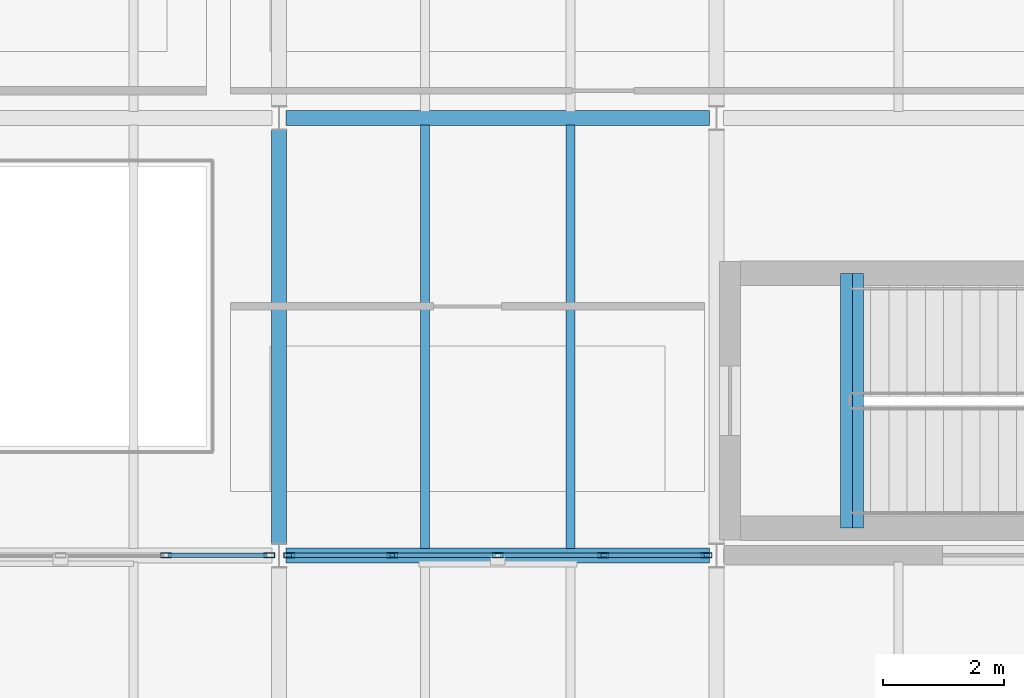
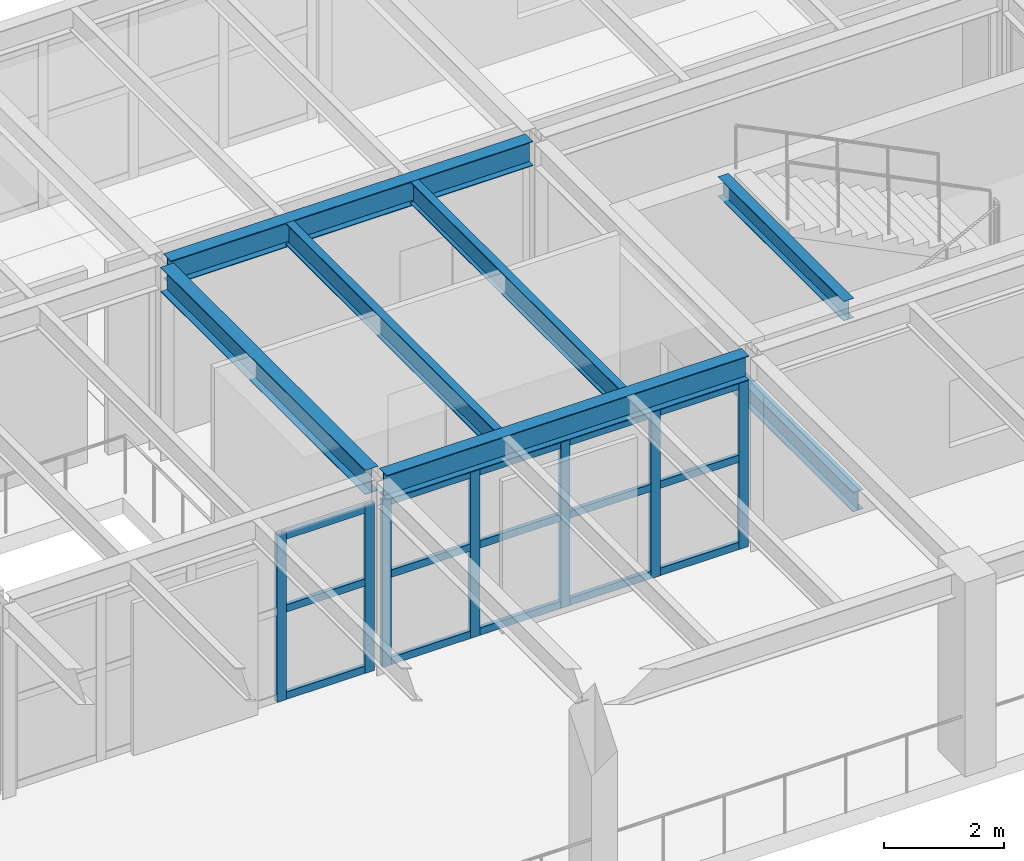
# One storey, part 22 of 59: 22 members, 7 beams, 2 elements without a shape of their own.
"""IFC4 building model written with IfcOpenShell, lengths in metres."""

from ifc_helpers import new_model, si_unit, direction, frame, origin, origin_2d, place, context, subcontext, project, spatial, hollow_rectangle, i_section, extrude, material, layer, layer_set, material_profile, profile_set, type_object, element, aggregate, save


model = new_model("IFC4")

# Units and contexts
model_context = context("Model", 3, precision=1e-05, world=origin(), true_north=direction((0.0, 1.0)))
body_context = subcontext(model_context, "Body", "Model", "MODEL_VIEW")
ifc_project = project(units=[si_unit("LENGTHUNIT", "METRE"), si_unit("AREAUNIT", "SQUARE_METRE"), si_unit("VOLUMEUNIT", "CUBIC_METRE"), si_unit("PLANEANGLEUNIT", "RADIAN"), si_unit("MASSUNIT", "GRAM", prefix="KILO")], contexts=[model_context])

# Site, building, storey
site_placement = place(None, origin())
site = spatial("IfcSite", under=ifc_project, at=site_placement, CompositionType="ELEMENT")
building_placement = place(site_placement, origin())
building = spatial("IfcBuilding", under=site, at=building_placement, Name="Kandorven Conservatory and Botanical Research Centre", CompositionType="ELEMENT")
storey_placement = place(building_placement, frame((0.0, 0.0, 4.800048828125)))
storey = spatial("IfcBuildingStorey", under=building, at=storey_placement, Name="L01", CompositionType="ELEMENT", Elevation=4.800048828125)

# Beams
ifc_material_1 = material(Name="Steel S355 (IS 2062 E350)", Category="steel")
ifc_material_profile_1 = material_profile(ifc_material_1, i_section(OverallWidth=0.25, OverallDepth=0.5, WebThickness=0.010009765625, FlangeThickness=0.0146484375, at=origin_2d()))
ifc_profile_set_1 = profile_set([ifc_material_profile_1], Name="Steel S355 (IS 2062 E350)")
beam_type_1 = type_object("IfcBeamType", Name="Beam_FG-02", PredefinedType="USERDEFINED", material=ifc_profile_set_1)
for number, where, z_axis, x_axis, name in (
    (1, (70.9150390625, 13.199951171875, 3.699951171875), (1.0, 0.0, 0.0), (0.0, 1.0, 0.0), "Primary girder FG-02 VIS L01"),
    (2, (70.9150390625, 20.39990234375, 3.699951171875), (1.0, 0.0, 0.0), (0.0, 1.0, 0.0), "Primary girder FG-02 VIS L01"),
):
    element("IfcBeam", number, at=place(storey_placement, frame(where, z_axis=z_axis, x_axis=x_axis)), inside=storey, type_object=beam_type_1, Name=name, ObjectType="GIRDER", PredefinedType="USERDEFINED", context=body_context, shape_type="SweptSolid", body=[
        extrude(i_section(OverallWidth=0.25, OverallDepth=0.5, WebThickness=0.010009765625, FlangeThickness=0.0146484375, at=origin_2d()), origin(), (0.0, 0.0, 1.0), 6.969970703125),
    ])
beam_placement = place(storey_placement, frame((70.800048828125, 13.389892578125, 3.699951171875), z_axis=(0.0, 1.0, 0.0), x_axis=(-1.0, 0.0, 0.0)))
element("IfcBeam", 3, at=beam_placement, inside=storey, type_object=beam_type_1, Name="Primary girder FG-02 VIS L01", ObjectType="GIRDER", PredefinedType="USERDEFINED", context=body_context, shape_type="SweptSolid", body=[
    extrude(i_section(OverallWidth=0.25, OverallDepth=0.5, WebThickness=0.010009765625, FlangeThickness=0.0146484375, at=origin_2d()), origin(), (0.0, 0.0, 1.0), 6.820068359375),
])
ifc_material_2 = material(Name="Steel S355 (IS 2062 E350)", Category="steel")
ifc_material_profile_2 = material_profile(ifc_material_2, i_section(OverallWidth=0.199951171875, OverallDepth=0.39990234375, WebThickness=0.008544921875, FlangeThickness=0.012939453125, at=origin_2d()))
ifc_profile_set_2 = profile_set([ifc_material_profile_2], Name="Steel S355 (IS 2062 E350)")
beam_type_2 = type_object("IfcBeamType", Name="Beam_FG-03", PredefinedType="USERDEFINED", material=ifc_profile_set_2)
for number, where, z_axis, x_axis, name in (
    (4, (80.320068359375, 13.64990234375, -0.199951171875), (0.0, 1.0, 0.0), (-1.0, 0.0, 0.0), "Stair well bottom trimmer girder FG-03 ST-V3B L01"),
    (5, (80.139892578125, 13.64990234375, 3.75), (0.0, 1.0, 0.0), (-1.0, 0.0, 0.0), "Stair well top header girder FG-03 ST-V3B L01"),
):
    element("IfcBeam", number, at=place(storey_placement, frame(where, z_axis=z_axis, x_axis=x_axis)), inside=storey, type_object=beam_type_2, Name=name, ObjectType="GIRDER", PredefinedType="USERDEFINED", context=body_context, shape_type="SweptSolid", body=[
        extrude(i_section(OverallWidth=0.199951171875, OverallDepth=0.39990234375, WebThickness=0.008544921875, FlangeThickness=0.012939453125, at=origin_2d()), origin(), (0.0, 0.0, 1.0), 4.190185546875),
    ])
ifc_material_3 = material(Name="Steel S355 (IS 2062 E350)", Category="steel")
ifc_material_profile_3 = material_profile(ifc_material_3, i_section(OverallWidth=0.14990234375, OverallDepth=0.449951171875, WebThickness=0.009521484375, FlangeThickness=0.017333984375, at=origin_2d()))
ifc_profile_set_3 = profile_set([ifc_material_profile_3], Name="Steel S355 (IS 2062 E350)")
beam_type_3 = type_object("IfcBeamType", Name="Beam_SB-04", PredefinedType="BEAM", material=ifc_profile_set_3)
for number, where, z_axis, x_axis, name in (
    (6, (73.199951171875, 13.31005859375, 3.724853515625), (0.0, 1.0, 0.0), (-1.0, 0.0, 0.0), "Composite secondary beam SB-04 VIS L01"),
    (7, (75.60009765625, 13.31005859375, 3.724853515625), (0.0, 1.0, 0.0), (-1.0, 0.0, 0.0), "Composite secondary beam SB-04 VIS L01"),
):
    element("IfcBeam", number, at=place(storey_placement, frame(where, z_axis=z_axis, x_axis=x_axis)), inside=storey, type_object=beam_type_3, Name=name, PredefinedType="BEAM", context=body_context, shape_type="SweptSolid", body=[
        extrude(i_section(OverallWidth=0.14990234375, OverallDepth=0.449951171875, WebThickness=0.009521484375, FlangeThickness=0.017333984375, at=origin_2d()), origin(), (0.0, 0.0, 1.0), 6.97998046875),
    ])

# Curtain wall, members
ifc_material_4 = material(Name="Bronze anodised thermally broken aluminium", Category="aluminium")
ifc_layer = layer(ifc_material_4, 0.179931640625)
ifc_layer_set = layer_set([ifc_layer], Name="Bronze anodised thermally broken aluminium")
curtain_wall_type = type_object("IfcCurtainWallType", Name="CW_Unitised", PredefinedType="USERDEFINED", material=ifc_layer_set)
curtain_wall_1_placement = place(storey_placement, origin())
curtain_wall_1 = element("IfcCurtainWall", 8, at=curtain_wall_1_placement, inside=storey, type_object=curtain_wall_type, Name="Visitor wing unitised curtain wall CW-VIS-S-L01-4", ObjectType="UNITISED GLAZING", PredefinedType="USERDEFINED")
ifc_material_5 = material(Name="Bronze anodised thermally broken aluminium", Category="aluminium")
ifc_material_profile_4 = material_profile(ifc_material_5, hollow_rectangle(XDim=0.080078125, YDim=0.179931640625, WallThickness=0.006103515625, at=origin_2d()))
ifc_profile_set_4 = profile_set([ifc_material_profile_4], Name="Bronze anodised thermally broken aluminium")
member_type_1 = type_object("IfcMemberType", Name="CW_Mullion", PredefinedType="MULLION", material=ifc_profile_set_4)
member_1_placement = place(storey_placement, frame((68.9375, 13.199951171875, 0.0), z_axis=(0.0, 0.0, 1.0), x_axis=(0.0, 1.0, 0.0)))
member_1 = element("IfcMember", 9, at=member_1_placement, type_object=member_type_1, Name="CW-01 mullion 4", PredefinedType="MULLION", context=body_context, shape_type="SweptSolid", body=[
    extrude(hollow_rectangle(XDim=0.080078125, YDim=0.179931640625, WallThickness=0.006103515625, at=origin_2d()), origin(), (0.0, 0.0, 1.0), 3.409912109375),
])
member_2_placement = place(storey_placement, frame((70.635009765625, 13.199951171875, 0.0), z_axis=(0.0, 0.0, 1.0), x_axis=(0.0, 1.0, 0.0)))
member_2 = element("IfcMember", 10, at=member_2_placement, type_object=member_type_1, Name="CW-01 mullion 5", PredefinedType="MULLION", context=body_context, shape_type="SweptSolid", body=[
    extrude(hollow_rectangle(XDim=0.080078125, YDim=0.179931640625, WallThickness=0.006103515625, at=origin_2d()), origin(), (0.0, 0.0, 1.0), 3.409912109375),
])

curtain_wall_2_placement = place(storey_placement, origin())
curtain_wall_2 = element("IfcCurtainWall", 11, at=curtain_wall_2_placement, inside=storey, type_object=curtain_wall_type, Name="Visitor wing unitised curtain wall CW-VIS-S-L01-5", ObjectType="UNITISED GLAZING", PredefinedType="USERDEFINED")
member_3_placement = place(storey_placement, frame((70.965087890625, 13.199951171875, 0.0), z_axis=(0.0, 0.0, 1.0), x_axis=(0.0, 1.0, 0.0)))
member_3 = element("IfcMember", 12, at=member_3_placement, type_object=member_type_1, Name="CW-01 mullion 1", PredefinedType="MULLION", context=body_context, shape_type="SweptSolid", body=[
    extrude(hollow_rectangle(XDim=0.080078125, YDim=0.179931640625, WallThickness=0.006103515625, at=origin_2d()), origin(), (0.0, 0.0, 1.0), 3.409912109375),
])
member_4_placement = place(storey_placement, frame((72.66259765625, 13.199951171875, 0.0), z_axis=(0.0, 0.0, 1.0), x_axis=(0.0, 1.0, 0.0)))
member_4 = element("IfcMember", 13, at=member_4_placement, type_object=member_type_1, Name="CW-01 mullion 2", PredefinedType="MULLION", context=body_context, shape_type="SweptSolid", body=[
    extrude(hollow_rectangle(XDim=0.080078125, YDim=0.179931640625, WallThickness=0.006103515625, at=origin_2d()), origin(), (0.0, 0.0, 1.0), 3.409912109375),
])
member_5_placement = place(storey_placement, frame((74.39990234375, 13.199951171875, 0.0), z_axis=(0.0, 0.0, 1.0), x_axis=(0.0, 1.0, 0.0)))
member_5 = element("IfcMember", 14, at=member_5_placement, type_object=member_type_1, Name="CW-01 mullion 3", PredefinedType="MULLION", context=body_context, shape_type="SweptSolid", body=[
    extrude(hollow_rectangle(XDim=0.080078125, YDim=0.179931640625, WallThickness=0.006103515625, at=origin_2d()), origin(), (0.0, 0.0, 1.0), 3.409912109375),
])
member_6_placement = place(storey_placement, frame((76.137451171875, 13.199951171875, 0.0), z_axis=(0.0, 0.0, 1.0), x_axis=(0.0, 1.0, 0.0)))
member_6 = element("IfcMember", 15, at=member_6_placement, type_object=member_type_1, Name="CW-01 mullion 4", PredefinedType="MULLION", context=body_context, shape_type="SweptSolid", body=[
    extrude(hollow_rectangle(XDim=0.080078125, YDim=0.179931640625, WallThickness=0.006103515625, at=origin_2d()), origin(), (0.0, 0.0, 1.0), 3.409912109375),
])
member_7_placement = place(storey_placement, frame((77.8349609375, 13.199951171875, 0.0), z_axis=(0.0, 0.0, 1.0), x_axis=(0.0, 1.0, 0.0)))
member_7 = element("IfcMember", 16, at=member_7_placement, type_object=member_type_1, Name="CW-01 mullion 5", PredefinedType="MULLION", context=body_context, shape_type="SweptSolid", body=[
    extrude(hollow_rectangle(XDim=0.080078125, YDim=0.179931640625, WallThickness=0.006103515625, at=origin_2d()), origin(), (0.0, 0.0, 1.0), 3.409912109375),
])

# Member
ifc_material_6 = material(Name="Bronze anodised thermally broken aluminium", Category="aluminium")
ifc_material_profile_5 = material_profile(ifc_material_6, hollow_rectangle(XDim=0.074951171875, YDim=0.14990234375, WallThickness=0.006103515625, at=origin_2d()))
ifc_profile_set_5 = profile_set([ifc_material_profile_5], Name="Bronze anodised thermally broken aluminium")
member_type_2 = type_object("IfcMemberType", Name="CW_Transom", PredefinedType="USERDEFINED", material=ifc_profile_set_5)
member_8_placement = place(storey_placement, frame((68.9775390625, 13.199951171875, 0.074951171875), z_axis=(1.0, 0.0, 0.0), x_axis=(0.0, 1.0, 0.0)))
member_8 = element("IfcMember", 17, at=member_8_placement, type_object=member_type_2, Name="CW-01 transom 4.1", ObjectType="TRANSOM", PredefinedType="USERDEFINED", context=body_context, shape_type="SweptSolid", body=[
    extrude(hollow_rectangle(XDim=0.074951171875, YDim=0.14990234375, WallThickness=0.006103515625, at=origin_2d()), origin(), (0.0, 0.0, 1.0), 1.617431640625),
])

member_9_placement = place(storey_placement, frame((68.9775390625, 13.199951171875, 1.849853515625), z_axis=(1.0, 0.0, 0.0), x_axis=(0.0, 1.0, 0.0)))
member_9 = element("IfcMember", 18, at=member_9_placement, type_object=member_type_2, Name="CW-01 transom 4.2", ObjectType="TRANSOM", PredefinedType="USERDEFINED", context=body_context, shape_type="SweptSolid", body=[
    extrude(hollow_rectangle(XDim=0.074951171875, YDim=0.14990234375, WallThickness=0.006103515625, at=origin_2d()), origin(), (0.0, 0.0, 1.0), 1.617431640625),
])

member_10_placement = place(storey_placement, frame((68.9775390625, 13.199951171875, 3.3349609375), z_axis=(1.0, 0.0, 0.0), x_axis=(0.0, 1.0, 0.0)))
member_10 = element("IfcMember", 19, at=member_10_placement, type_object=member_type_2, Name="CW-01 transom 4.3", ObjectType="TRANSOM", PredefinedType="USERDEFINED", context=body_context, shape_type="SweptSolid", body=[
    extrude(hollow_rectangle(XDim=0.074951171875, YDim=0.14990234375, WallThickness=0.006103515625, at=origin_2d()), origin(), (0.0, 0.0, 1.0), 1.617431640625),
])

aggregate(curtain_wall_1, [member_1, member_2, member_8, member_9, member_10])

member_11_placement = place(storey_placement, frame((71.0048828125, 13.199951171875, 0.074951171875), z_axis=(1.0, 0.0, 0.0), x_axis=(0.0, 1.0, 0.0)))
member_11 = element("IfcMember", 20, at=member_11_placement, type_object=member_type_2, Name="CW-01 transom 1.1", ObjectType="TRANSOM", PredefinedType="USERDEFINED", context=body_context, shape_type="SweptSolid", body=[
    extrude(hollow_rectangle(XDim=0.074951171875, YDim=0.14990234375, WallThickness=0.006103515625, at=origin_2d()), origin(), (0.0, 0.0, 1.0), 1.61767578125),
])

member_12_placement = place(storey_placement, frame((71.0048828125, 13.199951171875, 1.849853515625), z_axis=(1.0, 0.0, 0.0), x_axis=(0.0, 1.0, 0.0)))
member_12 = element("IfcMember", 21, at=member_12_placement, type_object=member_type_2, Name="CW-01 transom 1.2", ObjectType="TRANSOM", PredefinedType="USERDEFINED", context=body_context, shape_type="SweptSolid", body=[
    extrude(hollow_rectangle(XDim=0.074951171875, YDim=0.14990234375, WallThickness=0.006103515625, at=origin_2d()), origin(), (0.0, 0.0, 1.0), 1.61767578125),
])

member_13_placement = place(storey_placement, frame((71.0048828125, 13.199951171875, 3.3349609375), z_axis=(1.0, 0.0, 0.0), x_axis=(0.0, 1.0, 0.0)))
member_13 = element("IfcMember", 22, at=member_13_placement, type_object=member_type_2, Name="CW-01 transom 1.3", ObjectType="TRANSOM", PredefinedType="USERDEFINED", context=body_context, shape_type="SweptSolid", body=[
    extrude(hollow_rectangle(XDim=0.074951171875, YDim=0.14990234375, WallThickness=0.006103515625, at=origin_2d()), origin(), (0.0, 0.0, 1.0), 1.61767578125),
])

member_14_placement = place(storey_placement, frame((72.702392578125, 13.199951171875, 0.074951171875), z_axis=(1.0, 0.0, 0.0), x_axis=(0.0, 1.0, 0.0)))
member_14 = element("IfcMember", 23, at=member_14_placement, type_object=member_type_2, Name="CW-01 transom 2.1", ObjectType="TRANSOM", PredefinedType="USERDEFINED", context=body_context, shape_type="SweptSolid", body=[
    extrude(hollow_rectangle(XDim=0.074951171875, YDim=0.14990234375, WallThickness=0.006103515625, at=origin_2d()), origin(), (0.0, 0.0, 1.0), 1.65771484375),
])

member_15_placement = place(storey_placement, frame((72.702392578125, 13.199951171875, 1.849853515625), z_axis=(1.0, 0.0, 0.0), x_axis=(0.0, 1.0, 0.0)))
member_15 = element("IfcMember", 24, at=member_15_placement, type_object=member_type_2, Name="CW-01 transom 2.2", ObjectType="TRANSOM", PredefinedType="USERDEFINED", context=body_context, shape_type="SweptSolid", body=[
    extrude(hollow_rectangle(XDim=0.074951171875, YDim=0.14990234375, WallThickness=0.006103515625, at=origin_2d()), origin(), (0.0, 0.0, 1.0), 1.65771484375),
])

member_16_placement = place(storey_placement, frame((72.702392578125, 13.199951171875, 3.3349609375), z_axis=(1.0, 0.0, 0.0), x_axis=(0.0, 1.0, 0.0)))
member_16 = element("IfcMember", 25, at=member_16_placement, type_object=member_type_2, Name="CW-01 transom 2.3", ObjectType="TRANSOM", PredefinedType="USERDEFINED", context=body_context, shape_type="SweptSolid", body=[
    extrude(hollow_rectangle(XDim=0.074951171875, YDim=0.14990234375, WallThickness=0.006103515625, at=origin_2d()), origin(), (0.0, 0.0, 1.0), 1.65771484375),
])

member_17_placement = place(storey_placement, frame((74.43994140625, 13.199951171875, 0.074951171875), z_axis=(1.0, 0.0, 0.0), x_axis=(0.0, 1.0, 0.0)))
member_17 = element("IfcMember", 26, at=member_17_placement, type_object=member_type_2, Name="CW-01 transom 3.1", ObjectType="TRANSOM", PredefinedType="USERDEFINED", context=body_context, shape_type="SweptSolid", body=[
    extrude(hollow_rectangle(XDim=0.074951171875, YDim=0.14990234375, WallThickness=0.006103515625, at=origin_2d()), origin(), (0.0, 0.0, 1.0), 1.657470703125),
])

member_18_placement = place(storey_placement, frame((74.43994140625, 13.199951171875, 1.849853515625), z_axis=(1.0, 0.0, 0.0), x_axis=(0.0, 1.0, 0.0)))
member_18 = element("IfcMember", 27, at=member_18_placement, type_object=member_type_2, Name="CW-01 transom 3.2", ObjectType="TRANSOM", PredefinedType="USERDEFINED", context=body_context, shape_type="SweptSolid", body=[
    extrude(hollow_rectangle(XDim=0.074951171875, YDim=0.14990234375, WallThickness=0.006103515625, at=origin_2d()), origin(), (0.0, 0.0, 1.0), 1.657470703125),
])

member_19_placement = place(storey_placement, frame((74.43994140625, 13.199951171875, 3.3349609375), z_axis=(1.0, 0.0, 0.0), x_axis=(0.0, 1.0, 0.0)))
member_19 = element("IfcMember", 28, at=member_19_placement, type_object=member_type_2, Name="CW-01 transom 3.3", ObjectType="TRANSOM", PredefinedType="USERDEFINED", context=body_context, shape_type="SweptSolid", body=[
    extrude(hollow_rectangle(XDim=0.074951171875, YDim=0.14990234375, WallThickness=0.006103515625, at=origin_2d()), origin(), (0.0, 0.0, 1.0), 1.657470703125),
])

member_20_placement = place(storey_placement, frame((76.177490234375, 13.199951171875, 0.074951171875), z_axis=(1.0, 0.0, 0.0), x_axis=(0.0, 1.0, 0.0)))
member_20 = element("IfcMember", 29, at=member_20_placement, type_object=member_type_2, Name="CW-01 transom 4.1", ObjectType="TRANSOM", PredefinedType="USERDEFINED", context=body_context, shape_type="SweptSolid", body=[
    extrude(hollow_rectangle(XDim=0.074951171875, YDim=0.14990234375, WallThickness=0.006103515625, at=origin_2d()), origin(), (0.0, 0.0, 1.0), 1.617431640625),
])

member_21_placement = place(storey_placement, frame((76.177490234375, 13.199951171875, 1.849853515625), z_axis=(1.0, 0.0, 0.0), x_axis=(0.0, 1.0, 0.0)))
member_21 = element("IfcMember", 30, at=member_21_placement, type_object=member_type_2, Name="CW-01 transom 4.2", ObjectType="TRANSOM", PredefinedType="USERDEFINED", context=body_context, shape_type="SweptSolid", body=[
    extrude(hollow_rectangle(XDim=0.074951171875, YDim=0.14990234375, WallThickness=0.006103515625, at=origin_2d()), origin(), (0.0, 0.0, 1.0), 1.617431640625),
])

member_22_placement = place(storey_placement, frame((76.177490234375, 13.199951171875, 3.3349609375), z_axis=(1.0, 0.0, 0.0), x_axis=(0.0, 1.0, 0.0)))
member_22 = element("IfcMember", 31, at=member_22_placement, type_object=member_type_2, Name="CW-01 transom 4.3", ObjectType="TRANSOM", PredefinedType="USERDEFINED", context=body_context, shape_type="SweptSolid", body=[
    extrude(hollow_rectangle(XDim=0.074951171875, YDim=0.14990234375, WallThickness=0.006103515625, at=origin_2d()), origin(), (0.0, 0.0, 1.0), 1.617431640625),
])

aggregate(curtain_wall_2, [member_3, member_4, member_5, member_6, member_7, member_11, member_12, member_13, member_14, member_15, member_16, member_17, member_18, member_19, member_20, member_21, member_22])

save(model, "model.ifc")
